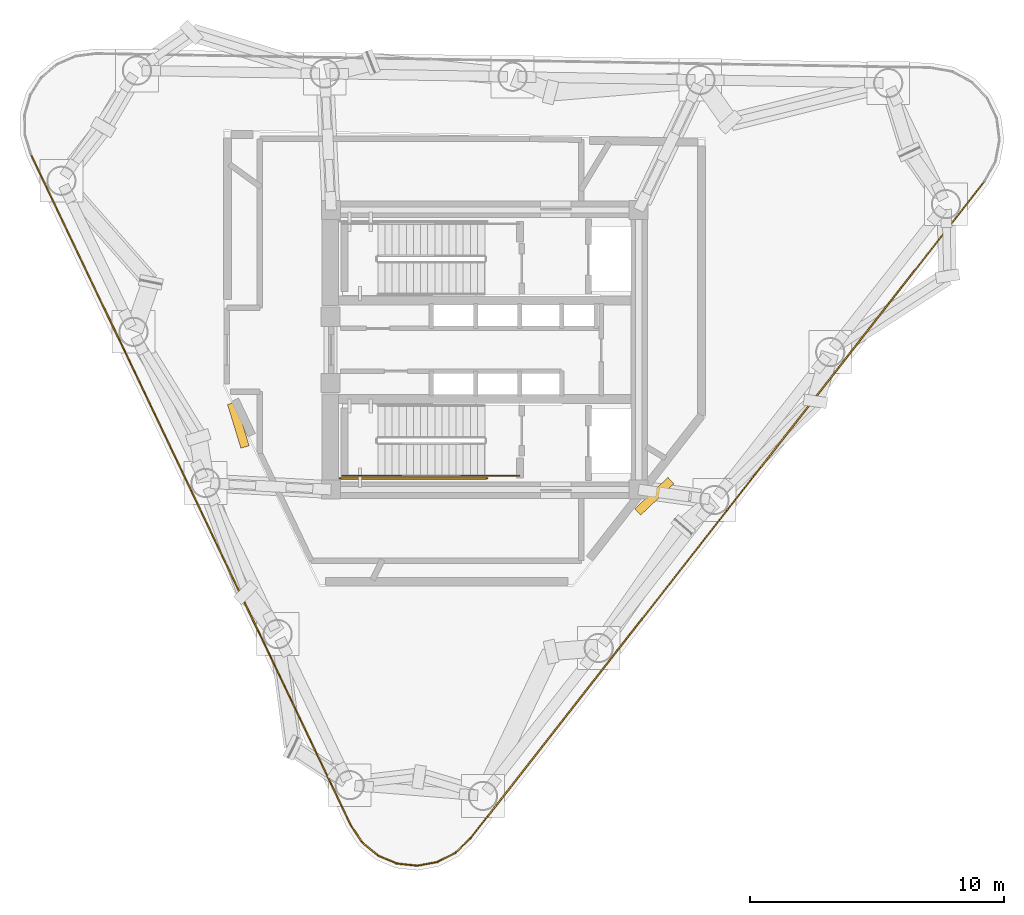
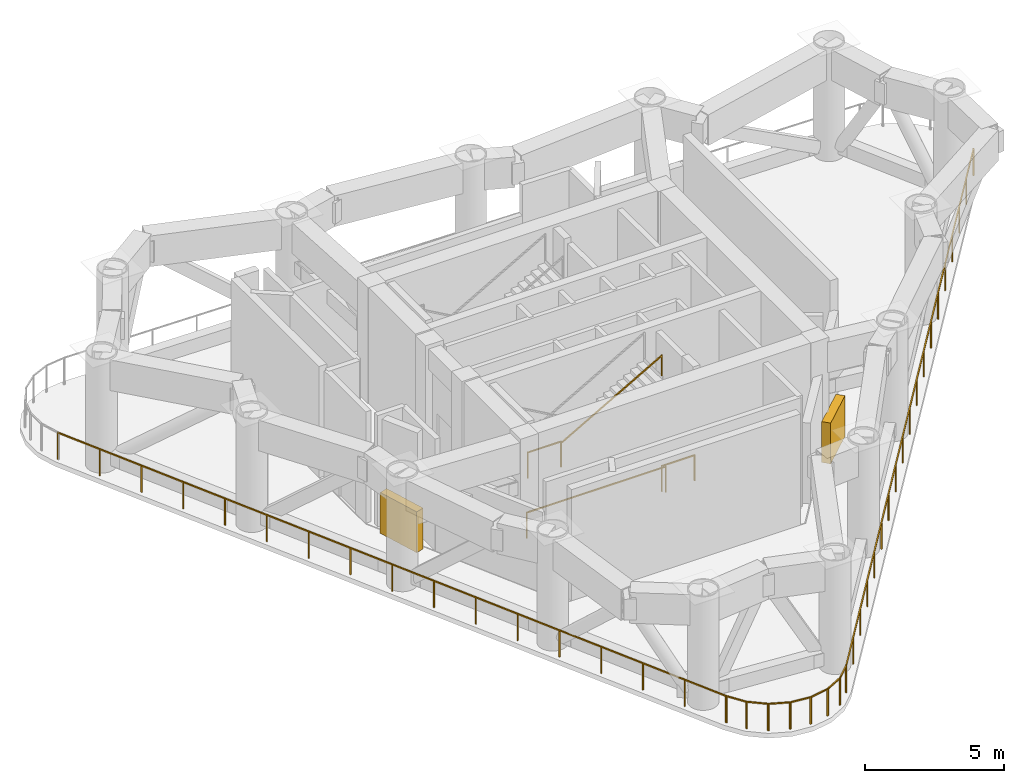
# One storey, part 6 of 8: 13 railings, 2 shading devices.
"""IFC4 building model written with IfcOpenShell, lengths in metres."""

from ifc_helpers import new_model, si_unit, direction, frame, origin, origin_2d, place, context, subcontext, project, spatial, rectangle, extrude, source, transform, mapped, material, layer, layer_set, type_object, element, save


model = new_model("IFC4")

# Units and contexts
model_context = context("Model", 3, precision=1e-05, world=origin(), true_north=direction((0.0, 1.0)))
body_context = subcontext(model_context, "Body", "Model", "MODEL_VIEW")
ifc_project = project(units=[si_unit("LENGTHUNIT", "METRE"), si_unit("AREAUNIT", "SQUARE_METRE"), si_unit("VOLUMEUNIT", "CUBIC_METRE"), si_unit("PLANEANGLEUNIT", "RADIAN"), si_unit("MASSUNIT", "GRAM", prefix="KILO")], contexts=[model_context])

# Site, building, storey
site_placement = place(None, origin())
site = spatial("IfcSite", under=ifc_project, at=site_placement, CompositionType="ELEMENT")
building_placement = place(site_placement, origin())
building = spatial("IfcBuilding", under=site, at=building_placement, Name="Yunling Apex Tower", CompositionType="ELEMENT")
storey_placement = place(building_placement, frame((0.0, 0.0, 219.050048828125)))
storey = spatial("IfcBuildingStorey", under=building, at=storey_placement, Name="RF6", CompositionType="ELEMENT", Elevation=219.050048828125)

# Railings
ifc_material_1 = material(Name="Bronze anodised aluminium", Category="aluminium")
railing_type_1 = type_object("IfcRailingType", Name="RL-BAL-1200", PredefinedType="BALUSTRADE", material=ifc_material_1)
railing_1_placement = place(storey_placement, frame((-5.262451171875, -18.728515625, 0.0)))
element("IfcRailing", 1, at=railing_1_placement, inside=storey, type_object=railing_type_1, Name="RL-REF-RF6-01", PredefinedType="BALUSTRADE", context=body_context, shape_type="SweptSolid", body=[
    extrude(rectangle(XDim=0.0439453125, YDim=0.0439453125, at=origin_2d()), origin(), (0.0, 0.0, 1.0), 1.199951171875),
    extrude(rectangle(XDim=0.0439453125, YDim=0.0439453125, at=origin_2d()), frame((-12.604248046875, 26.4248046875, 0.0)), (0.0, 0.0, 1.0), 1.199951171875),
    extrude(rectangle(XDim=0.050048828125, YDim=0.050048828125, at=origin_2d()), frame((-0.0166015625, 0.03466796875, 1.1748046875), z_axis=(-0.430518408212, 0.902581796953, 0.0), x_axis=(-0.902581796953, -0.430518408212, 0.0)), (0.0, 0.0, 1.0), 29.2001953125),
    extrude(rectangle(XDim=0.0439453125, YDim=0.0439453125, at=origin_2d()), frame((-0.787841796875, 1.651611328125, 0.0)), (0.0, 0.0, 1.0), 1.14599609375),
    extrude(rectangle(XDim=0.0439453125, YDim=0.0439453125, at=origin_2d()), frame((-1.575439453125, 3.30322265625, 0.0)), (0.0, 0.0, 1.0), 1.14599609375),
    extrude(rectangle(XDim=0.0439453125, YDim=0.0439453125, at=origin_2d()), frame((-2.36328125, 4.95458984375, 0.0)), (0.0, 0.0, 1.0), 1.14599609375),
    extrude(rectangle(XDim=0.0439453125, YDim=0.0439453125, at=origin_2d()), frame((-3.151123046875, 6.606201171875, 0.0)), (0.0, 0.0, 1.0), 1.14599609375),
    extrude(rectangle(XDim=0.0439453125, YDim=0.0439453125, at=origin_2d()), frame((-3.938720703125, 8.2578125, 0.0)), (0.0, 0.0, 1.0), 1.14599609375),
    extrude(rectangle(XDim=0.0439453125, YDim=0.0439453125, at=origin_2d()), frame((-4.7265625, 9.9091796875, 0.0)), (0.0, 0.0, 1.0), 1.14599609375),
    extrude(rectangle(XDim=0.0439453125, YDim=0.0439453125, at=origin_2d()), frame((-5.514404296875, 11.560791015625, 0.0)), (0.0, 0.0, 1.0), 1.14599609375),
    extrude(rectangle(XDim=0.0439453125, YDim=0.0439453125, at=origin_2d()), frame((-6.30224609375, 13.21240234375, 0.0)), (0.0, 0.0, 1.0), 1.14599609375),
    extrude(rectangle(XDim=0.0439453125, YDim=0.0439453125, at=origin_2d()), frame((-7.08984375, 14.864013671875, 0.0)), (0.0, 0.0, 1.0), 1.14599609375),
    extrude(rectangle(XDim=0.0439453125, YDim=0.0439453125, at=origin_2d()), frame((-7.877685546875, 16.515625, 0.0)), (0.0, 0.0, 1.0), 1.14599609375),
    extrude(rectangle(XDim=0.0439453125, YDim=0.0439453125, at=origin_2d()), frame((-8.66552734375, 18.1669921875, 0.0)), (0.0, 0.0, 1.0), 1.14599609375),
    extrude(rectangle(XDim=0.0439453125, YDim=0.0439453125, at=origin_2d()), frame((-9.453125, 19.818603515625, 0.0)), (0.0, 0.0, 1.0), 1.14599609375),
    extrude(rectangle(XDim=0.0439453125, YDim=0.0439453125, at=origin_2d()), frame((-10.240966796875, 21.47021484375, 0.0)), (0.0, 0.0, 1.0), 1.14599609375),
    extrude(rectangle(XDim=0.0439453125, YDim=0.0439453125, at=origin_2d()), frame((-11.02880859375, 23.12158203125, 0.0)), (0.0, 0.0, 1.0), 1.14599609375),
    extrude(rectangle(XDim=0.0439453125, YDim=0.0439453125, at=origin_2d()), frame((-11.81640625, 24.773193359375, 0.0)), (0.0, 0.0, 1.0), 1.14599609375),
])
railing_2_placement = place(storey_placement, frame((19.660400390625, 6.63037109375, 0.0)))
element("IfcRailing", 2, at=railing_2_placement, inside=storey, type_object=railing_type_1, Name="RL-REF-RF6-17", PredefinedType="BALUSTRADE", context=body_context, shape_type="SweptSolid", body=[
    extrude(rectangle(XDim=0.0439453125, YDim=0.0439453125, at=origin_2d()), origin(), (0.0, 0.0, 1.0), 1.199951171875),
    extrude(rectangle(XDim=0.0439453125, YDim=0.0439453125, at=origin_2d()), frame((-20.2431640625, -25.873046875, 0.0)), (0.0, 0.0, 1.0), 1.199951171875),
    extrude(rectangle(XDim=0.050048828125, YDim=0.050048828125, at=origin_2d()), frame((-0.023681640625, -0.0302734375, 1.1748046875), z_axis=(-0.616208063563, -0.78758340663, 0.0), x_axis=(0.78758340663, -0.616208063563, 0.0)), (0.0, 0.0, 1.0), 32.7744140625),
    extrude(rectangle(XDim=0.0439453125, YDim=0.0439453125, at=origin_2d()), frame((-1.12451171875, -1.4375, 0.0)), (0.0, 0.0, 1.0), 1.14599609375),
    extrude(rectangle(XDim=0.0439453125, YDim=0.0439453125, at=origin_2d()), frame((-2.249267578125, -2.874755859375, 0.0)), (0.0, 0.0, 1.0), 1.14599609375),
    extrude(rectangle(XDim=0.0439453125, YDim=0.0439453125, at=origin_2d()), frame((-3.373779296875, -4.312255859375, 0.0)), (0.0, 0.0, 1.0), 1.14599609375),
    extrude(rectangle(XDim=0.0439453125, YDim=0.0439453125, at=origin_2d()), frame((-4.49853515625, -5.74951171875, 0.0)), (0.0, 0.0, 1.0), 1.14599609375),
    extrude(rectangle(XDim=0.0439453125, YDim=0.0439453125, at=origin_2d()), frame((-5.623046875, -7.18701171875, 0.0)), (0.0, 0.0, 1.0), 1.14599609375),
    extrude(rectangle(XDim=0.0439453125, YDim=0.0439453125, at=origin_2d()), frame((-6.747802734375, -8.624267578125, 0.0)), (0.0, 0.0, 1.0), 1.14599609375),
    extrude(rectangle(XDim=0.0439453125, YDim=0.0439453125, at=origin_2d()), frame((-7.872314453125, -10.061767578125, 0.0)), (0.0, 0.0, 1.0), 1.14599609375),
    extrude(rectangle(XDim=0.0439453125, YDim=0.0439453125, at=origin_2d()), frame((-8.9970703125, -11.4990234375, 0.0)), (0.0, 0.0, 1.0), 1.14599609375),
    extrude(rectangle(XDim=0.0439453125, YDim=0.0439453125, at=origin_2d()), frame((-10.12158203125, -12.9365234375, 0.0)), (0.0, 0.0, 1.0), 1.14599609375),
    extrude(rectangle(XDim=0.0439453125, YDim=0.0439453125, at=origin_2d()), frame((-11.24609375, -14.3740234375, 0.0)), (0.0, 0.0, 1.0), 1.14599609375),
    extrude(rectangle(XDim=0.0439453125, YDim=0.0439453125, at=origin_2d()), frame((-12.370849609375, -15.811279296875, 0.0)), (0.0, 0.0, 1.0), 1.14599609375),
    extrude(rectangle(XDim=0.0439453125, YDim=0.0439453125, at=origin_2d()), frame((-13.495361328125, -17.248779296875, 0.0)), (0.0, 0.0, 1.0), 1.14599609375),
    extrude(rectangle(XDim=0.0439453125, YDim=0.0439453125, at=origin_2d()), frame((-14.6201171875, -18.68603515625, 0.0)), (0.0, 0.0, 1.0), 1.14599609375),
    extrude(rectangle(XDim=0.0439453125, YDim=0.0439453125, at=origin_2d()), frame((-15.74462890625, -20.12353515625, 0.0)), (0.0, 0.0, 1.0), 1.14599609375),
    extrude(rectangle(XDim=0.0439453125, YDim=0.0439453125, at=origin_2d()), frame((-16.869384765625, -21.560791015625, 0.0)), (0.0, 0.0, 1.0), 1.14599609375),
    extrude(rectangle(XDim=0.0439453125, YDim=0.0439453125, at=origin_2d()), frame((-17.993896484375, -22.998291015625, 0.0)), (0.0, 0.0, 1.0), 1.14599609375),
    extrude(rectangle(XDim=0.0439453125, YDim=0.0439453125, at=origin_2d()), frame((-19.11865234375, -24.435546875, 0.0)), (0.0, 0.0, 1.0), 1.14599609375),
])
railing_3_placement = place(storey_placement, frame((-0.5625, -19.220458984375, 0.0)))
element("IfcRailing", 3, at=railing_3_placement, inside=storey, type_object=railing_type_1, Name="RL-REF-RF6-18", PredefinedType="BALUSTRADE", context=body_context, shape_type="SweptSolid", body=[
    extrude(rectangle(XDim=0.0439453125, YDim=0.0439453125, at=origin_2d()), origin(), (0.0, 0.0, 1.0), 1.199951171875),
    extrude(rectangle(XDim=0.0439453125, YDim=0.0439453125, at=origin_2d()), frame((-0.611083984375, -0.58251953125, 0.0)), (0.0, 0.0, 1.0), 1.199951171875),
    extrude(rectangle(XDim=0.050048828125, YDim=0.050048828125, at=origin_2d()), frame((-0.02783203125, -0.0263671875, 1.1748046875), z_axis=(-0.723821508766, -0.68998726325, 0.0), x_axis=(0.68998726325, -0.723821508766, 0.0)), (0.0, 0.0, 1.0), 0.767578125),
])
railing_4_placement = place(storey_placement, frame((-1.1494140625, -19.785888671875, 0.0)))
element("IfcRailing", 4, at=railing_4_placement, inside=storey, type_object=railing_type_1, Name="RL-REF-RF6-19", PredefinedType="BALUSTRADE", context=body_context, shape_type="SweptSolid", body=[
    extrude(rectangle(XDim=0.0439453125, YDim=0.0439453125, at=origin_2d()), origin(), (0.0, 0.0, 1.0), 1.199951171875),
    extrude(rectangle(XDim=0.0439453125, YDim=0.0439453125, at=origin_2d()), frame((-0.740234375, -0.377197265625, 0.0)), (0.0, 0.0, 1.0), 1.199951171875),
    extrude(rectangle(XDim=0.050048828125, YDim=0.050048828125, at=origin_2d()), frame((-0.0341796875, -0.017333984375, 1.1748046875), z_axis=(-0.890992397581, -0.454018223701, 0.0), x_axis=(0.454018223701, -0.890992397581, 0.0)), (0.0, 0.0, 1.0), 0.754150390625),
])
railing_5_placement = place(storey_placement, frame((-1.861572265625, -20.15380859375, 0.0)))
element("IfcRailing", 5, at=railing_5_placement, inside=storey, type_object=railing_type_1, Name="RL-REF-RF6-20", PredefinedType="BALUSTRADE", context=body_context, shape_type="SweptSolid", body=[
    extrude(rectangle(XDim=0.0439453125, YDim=0.0439453125, at=origin_2d()), origin(), (0.0, 0.0, 1.0), 1.199951171875),
    extrude(rectangle(XDim=0.0439453125, YDim=0.0439453125, at=origin_2d()), frame((-0.8173828125, -0.1494140625, 0.0)), (0.0, 0.0, 1.0), 1.199951171875),
    extrude(rectangle(XDim=0.050048828125, YDim=0.050048828125, at=origin_2d()), frame((-0.03759765625, -0.0068359375, 1.1748046875), z_axis=(-0.983700231042, -0.179816171266, 0.0), x_axis=(0.179816171266, -0.983700231042, 0.0)), (0.0, 0.0, 1.0), 0.754150390625),
])
railing_6_placement = place(storey_placement, frame((-2.6494140625, -20.302001953125, 0.0)))
element("IfcRailing", 6, at=railing_6_placement, inside=storey, type_object=railing_type_1, Name="RL-REF-RF6-21", PredefinedType="BALUSTRADE", context=body_context, shape_type="SweptSolid", body=[
    extrude(rectangle(XDim=0.0439453125, YDim=0.0439453125, at=origin_2d()), origin(), (0.0, 0.0, 1.0), 1.199951171875),
    extrude(rectangle(XDim=0.0439453125, YDim=0.0439453125, at=origin_2d()), frame((-0.825927734375, 0.090576171875, 0.0)), (0.0, 0.0, 1.0), 1.199951171875),
    extrude(rectangle(XDim=0.050048828125, YDim=0.050048828125, at=origin_2d()), frame((-0.0380859375, 0.004150390625, 1.1748046875), z_axis=(-0.994040388712, 0.109012410349, 0.0), x_axis=(-0.109012410349, -0.994040388712, 0.0)), (0.0, 0.0, 1.0), 0.754150390625),
])
railing_7_placement = place(storey_placement, frame((-3.446533203125, -20.218994140625, 0.0)))
element("IfcRailing", 7, at=railing_7_placement, inside=storey, type_object=railing_type_1, Name="RL-REF-RF6-22", PredefinedType="BALUSTRADE", context=body_context, shape_type="SweptSolid", body=[
    extrude(rectangle(XDim=0.0439453125, YDim=0.0439453125, at=origin_2d()), origin(), (0.0, 0.0, 1.0), 1.199951171875),
    extrude(rectangle(XDim=0.0439453125, YDim=0.0439453125, at=origin_2d()), frame((-0.765380859375, 0.323486328125, 0.0)), (0.0, 0.0, 1.0), 1.199951171875),
    extrude(rectangle(XDim=0.050048828125, YDim=0.050048828125, at=origin_2d()), frame((-0.035400390625, 0.014892578125, 1.1748046875), z_axis=(-0.921109120538, 0.389304492732, 0.0), x_axis=(-0.389304492732, -0.921109120538, 0.0)), (0.0, 0.0, 1.0), 0.75439453125),
])
railing_8_placement = place(storey_placement, frame((-4.1865234375, -19.910888671875, 0.0)))
element("IfcRailing", 8, at=railing_8_placement, inside=storey, type_object=railing_type_1, Name="RL-REF-RF6-23", PredefinedType="BALUSTRADE", context=body_context, shape_type="SweptSolid", body=[
    extrude(rectangle(XDim=0.0439453125, YDim=0.0439453125, at=origin_2d()), origin(), (0.0, 0.0, 1.0), 1.199951171875),
    extrude(rectangle(XDim=0.0439453125, YDim=0.0439453125, at=origin_2d()), frame((-0.640869140625, 0.529052734375, 0.0)), (0.0, 0.0, 1.0), 1.199951171875),
    extrude(rectangle(XDim=0.050048828125, YDim=0.050048828125, at=origin_2d()), frame((-0.029541015625, 0.0244140625, 1.1748046875), z_axis=(-0.771174947158, 0.636623280187, 0.0), x_axis=(-0.636623280187, -0.771174947158, 0.0)), (0.0, 0.0, 1.0), 0.75439453125),
])
railing_9_placement = place(storey_placement, frame((-4.8076171875, -19.40380859375, 0.0)))
element("IfcRailing", 9, at=railing_9_placement, inside=storey, type_object=railing_type_1, Name="RL-REF-RF6-24", PredefinedType="BALUSTRADE", context=body_context, shape_type="SweptSolid", body=[
    extrude(rectangle(XDim=0.0439453125, YDim=0.0439453125, at=origin_2d()), origin(), (0.0, 0.0, 1.0), 1.199951171875),
    extrude(rectangle(XDim=0.0439453125, YDim=0.0439453125, at=origin_2d()), frame((-0.4697265625, 0.701416015625, 0.0)), (0.0, 0.0, 1.0), 1.199951171875),
    extrude(rectangle(XDim=0.050048828125, YDim=0.050048828125, at=origin_2d()), frame((-0.021240234375, 0.03173828125, 1.1748046875), z_axis=(-0.556434231828, 0.830891656987, 0.0), x_axis=(-0.830891656987, -0.556434231828, 0.0)), (0.0, 0.0, 1.0), 0.767578125),
])
ifc_material_2 = material(Name="Steel Q355B", Category="steel")
railing_type_2 = type_object("IfcRailingType", Name="RL-GRD-1150", PredefinedType="GUARDRAIL", material=ifc_material_2)
railing_10_placement = place(storey_placement, frame((-4.2099609375, -4.9599609375, 2.550048828125)))
element("IfcRailing", 10, at=railing_10_placement, inside=storey, type_object=railing_type_2, Name="RF6 ST-2 stair guard 3", PredefinedType="GUARDRAIL", context=body_context, shape_type="SweptSolid", body=[
    extrude(rectangle(XDim=0.0439453125, YDim=0.0439453125, at=origin_2d()), origin(), (0.0, 0.0, 1.0), 1.14990234375),
    extrude(rectangle(XDim=0.0439453125, YDim=0.0439453125, at=origin_2d()), frame((-1.39013671875, 0.0, 0.0)), (0.0, 0.0, 1.0), 1.14990234375),
    extrude(rectangle(XDim=0.050048828125, YDim=0.050048828125, at=origin_2d()), frame((-0.038330078125, 0.0, 1.125), z_axis=(-1.0, 0.0, 0.0), x_axis=(0.0, -1.0, 0.0)), (0.0, 0.0, 1.0), 1.3134765625),
])
railing_11_placement = place(storey_placement, frame((1.35009765625, -4.9599609375, 0.0)))
element("IfcRailing", 11, at=railing_11_placement, inside=storey, type_object=railing_type_2, Name="RF6 ST-2 stair guard 6", PredefinedType="GUARDRAIL", context=body_context, shape_type="SweptSolid", body=[
    extrude(rectangle(XDim=0.0439453125, YDim=0.0439453125, at=origin_2d()), origin(), (0.0, 0.0, 1.0), 1.14990234375),
    extrude(rectangle(XDim=0.0439453125, YDim=0.0439453125, at=origin_2d()), frame((-1.360107421875, 0.0, 0.0)), (0.0, 0.0, 1.0), 1.14990234375),
    extrude(rectangle(XDim=0.050048828125, YDim=0.050048828125, at=origin_2d()), frame((-0.038330078125, 0.0, 1.125), z_axis=(-1.0, 0.0, 0.0), x_axis=(0.0, -1.0, 0.0)), (0.0, 0.0, 1.0), 1.283447265625),
])
railing_12_placement = place(storey_placement, frame((0.090087890625, -5.06005859375, 0.0)))
element("IfcRailing", 12, at=railing_12_placement, inside=storey, type_object=railing_type_2, Name="RF6 ST-2 stair guard 7", PredefinedType="GUARDRAIL", context=body_context, shape_type="SweptSolid", body=[
    extrude(rectangle(XDim=0.0439453125, YDim=0.0439453125, at=origin_2d()), origin(), (0.0, 0.0, 1.0), 1.14990234375),
    extrude(rectangle(XDim=0.0439453125, YDim=0.0439453125, at=origin_2d()), frame((-5.7900390625, 0.0, 0.0)), (0.0, 0.0, 1.0), 1.14990234375),
    extrude(rectangle(XDim=0.050048828125, YDim=0.050048828125, at=origin_2d()), frame((-0.038330078125, 0.0, 1.125), z_axis=(-1.0, 0.0, 0.0), x_axis=(0.0, -1.0, 0.0)), (0.0, 0.0, 1.0), 5.71337890625),
])
ifc_material_3 = material(Name="Silver anodised aluminium", Category="aluminium")
railing_type_3 = type_object("IfcRailingType", Name="RL-HND-900", PredefinedType="HANDRAIL", material=ifc_material_3)
railing_13_placement = place(storey_placement, frame((-4.2099609375, -4.9599609375, 2.709228515625)))
element("IfcRailing", 13, at=railing_13_placement, inside=storey, type_object=railing_type_3, Name="RF6 ST-2 stair handrail 2", PredefinedType="HANDRAIL", context=body_context, shape_type="SweptSolid", body=[
    extrude(rectangle(XDim=0.0439453125, YDim=0.0439453125, at=origin_2d()), origin(), (0.0, 0.0, 1.0), 0.919921875),
    extrude(rectangle(XDim=0.0439453125, YDim=0.0439453125, at=origin_2d()), frame((4.199951171875, 0.0, 2.390625)), (0.0, 0.0, 1.0), 0.919921875),
    extrude(rectangle(XDim=0.050048828125, YDim=0.050048828125, at=origin_2d()), frame((0.033203125, 0.0, 0.913818359375), z_axis=(0.869075089623, 0.0, 0.494680188199), x_axis=(0.0, 1.0, 0.0)), (0.0, 0.0, 1.0), 4.756103515625),
])

# Shading devices
ifc_layer = layer(ifc_material_1, 0.1201171875)
ifc_layer_set = layer_set([ifc_layer], Name="Bronze anodised aluminium")
shading_device_type = type_object("IfcShadingDeviceType", Name="LV-BRZ-1", PredefinedType="USERDEFINED", material=ifc_layer_set)
shared_shape = source(origin(), body_context, "Body", "SweptSolid", [
    extrude(rectangle(XDim=1.800048828125, YDim=0.340087890625, at=origin_2d()), origin(), (0.0, 0.0, 1.0), 1.800048828125),
])
for number, where, z_axis, x_axis, name in (
    (14, (-9.697998046875, -2.96484375, 0.0), (0.0, 0.0, 1.0), (-0.292371704723, 0.956304755963, 0.0), "LV-REF-RF6-1"),
    (15, (6.668212890625, -5.763916015625, 0.0), (0.0, 0.0, 1.0), (-0.725854756355, -0.687848001144, 0.0), "LV-REF-RF6-2"),
):
    element("IfcShadingDevice", number, at=place(storey_placement, frame(where, z_axis=z_axis, x_axis=x_axis)), inside=storey, type_object=shading_device_type, Name=name, ObjectType="LOUVRE", PredefinedType="USERDEFINED", context=body_context, shape_type="MappedRepresentation", body=[
        mapped(shared_shape, transform((0.0, 0.0, 0.0), scale=1.0)),
    ])

save(model, "model.ifc")
